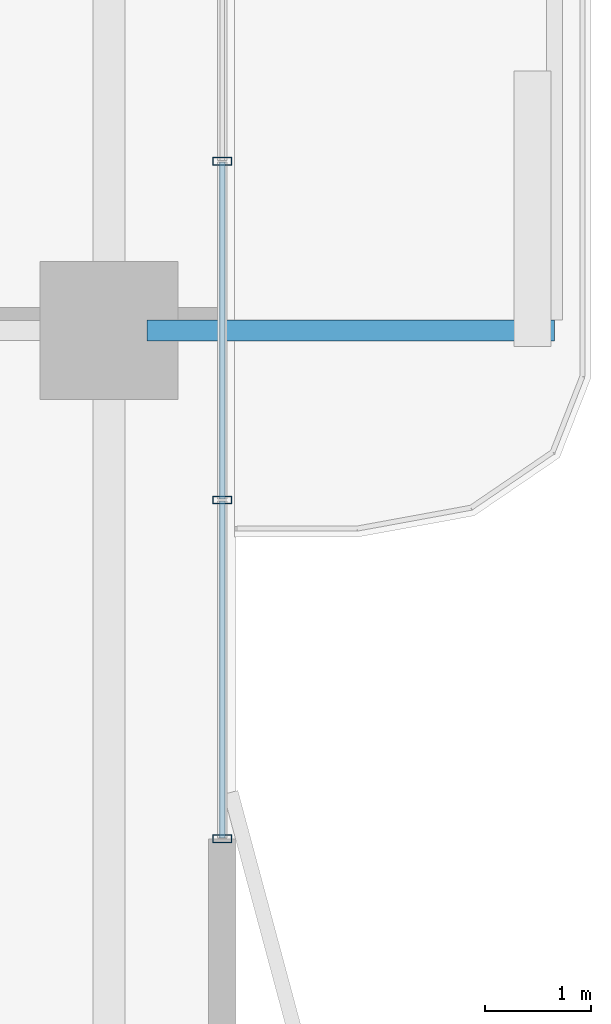
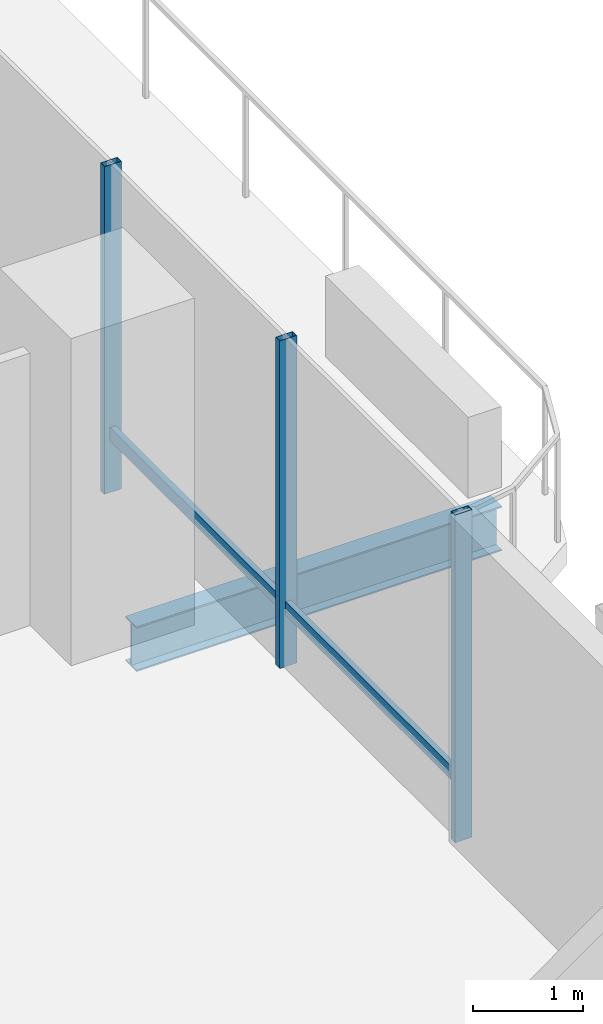
# One storey, part 8 of 24: 5 members, 1 beam, 1 element without a shape of its own.
"""IFC4 building model written with IfcOpenShell, lengths in metres."""

from ifc_helpers import new_model, si_unit, direction, frame, origin, origin_2d, place, context, subcontext, project, spatial, hollow_rectangle, i_section, extrude, material, layer, layer_set, material_profile, profile_set, type_object, element, aggregate, save


model = new_model("IFC4")

# Units and contexts
model_context = context("Model", 3, precision=1e-05, world=origin(), true_north=direction((0.0, 1.0)))
body_context = subcontext(model_context, "Body", "Model", "MODEL_VIEW")
ifc_project = project(units=[si_unit("LENGTHUNIT", "METRE"), si_unit("AREAUNIT", "SQUARE_METRE"), si_unit("VOLUMEUNIT", "CUBIC_METRE"), si_unit("PLANEANGLEUNIT", "RADIAN"), si_unit("MASSUNIT", "GRAM", prefix="KILO")], contexts=[model_context])

# Site, building, storey
site_placement = place(None, origin())
site = spatial("IfcSite", under=ifc_project, at=site_placement, CompositionType="ELEMENT")
building_placement = place(site_placement, origin())
building = spatial("IfcBuilding", under=site, at=building_placement, Name="Belovzor Exchange Tower", CompositionType="ELEMENT")
storey_placement = place(building_placement, frame((0.0, 0.0, 121.199951171875)))
storey = spatial("IfcBuildingStorey", under=building, at=storey_placement, Name="L29", CompositionType="ELEMENT", Elevation=121.199951171875)

# Beam
ifc_material_1 = material(Name="Steel S355", Category="steel")
ifc_material_profile_1 = material_profile(ifc_material_1, i_section(OverallWidth=0.199951171875, OverallDepth=0.5, WebThickness=0.01025390625, FlangeThickness=0.01611328125, at=origin_2d()))
ifc_profile_set_1 = profile_set([ifc_material_profile_1], Name="Steel S355")
beam_type = type_object("IfcBeamType", Name="Planted Balcony Cantilever Beam IPE 500", PredefinedType="BEAM", material=ifc_profile_set_1)
beam_placement = place(storey_placement, frame((54.05810546875, 28.800048828125, -0.5), z_axis=(1.0, 0.0, 0.0), x_axis=(0.0, 1.0, 0.0)))
element("IfcBeam", 1, at=beam_placement, inside=storey, type_object=beam_type, Name="BC-500 Planted Balcony Cantilever Beam IPE 500", PredefinedType="BEAM", context=body_context, shape_type="SweptSolid", body=[
    extrude(i_section(OverallWidth=0.199951171875, OverallDepth=0.5, WebThickness=0.01025390625, FlangeThickness=0.01611328125, at=origin_2d()), origin(), (0.0, 0.0, 1.0), 3.849853515625),
])

# Curtain wall, members
ifc_material_2 = material(Name="Anodised Aluminium Framing", Category="aluminium")
ifc_layer = layer(ifc_material_2, 0.179931640625)
ifc_layer_set = layer_set([ifc_layer], Name="Anodised Aluminium Framing")
curtain_wall_type = type_object("IfcCurtainWallType", Name="Recessed Loggia Low-Iron Triple-Glazed Curtain Wall", PredefinedType="NOTDEFINED", material=ifc_layer_set)
curtain_wall_placement = place(storey_placement, origin())
curtain_wall = element("IfcCurtainWall", 2, at=curtain_wall_placement, inside=storey, type_object=curtain_wall_type, Name="CW3 Recessed Loggia Low-Iron Triple-Glazed Curtain Wall L29", PredefinedType="NOTDEFINED")
ifc_material_3 = material(Name="Steel S355", Category="steel")
ifc_material_profile_2 = material_profile(ifc_material_3, hollow_rectangle(XDim=0.074951171875, YDim=0.179931640625, WallThickness=0.0048828125, at=origin_2d()))
ifc_profile_set_2 = profile_set([ifc_material_profile_2], Name="Steel S355")
member_type_1 = type_object("IfcMemberType", Name="Thermally Broken Curtain Wall Mullion 180x75", PredefinedType="MULLION", material=ifc_profile_set_2)
member_1_placement = place(storey_placement, frame((54.77001953125, 30.39990234375, 0.0), z_axis=(0.0, 0.0, 1.0), x_axis=(0.0, -1.0, 0.0)))
member_1 = element("IfcMember", 3, at=member_1_placement, type_object=member_type_1, Name="CW-M180 Curtain Wall Mullion 2", PredefinedType="MULLION", context=body_context, shape_type="SweptSolid", body=[
    extrude(hollow_rectangle(XDim=0.074951171875, YDim=0.179931640625, WallThickness=0.0048828125, at=origin_2d()), origin(), (0.0, 0.0, 1.0), 3.650146484375),
])
member_2_placement = place(storey_placement, frame((54.77001953125, 27.199951171875, 0.0), z_axis=(0.0, 0.0, 1.0), x_axis=(0.0, -1.0, 0.0)))
member_2 = element("IfcMember", 4, at=member_2_placement, type_object=member_type_1, Name="CW-M180 Curtain Wall Mullion 3", PredefinedType="MULLION", context=body_context, shape_type="SweptSolid", body=[
    extrude(hollow_rectangle(XDim=0.074951171875, YDim=0.179931640625, WallThickness=0.0048828125, at=origin_2d()), origin(), (0.0, 0.0, 1.0), 3.650146484375),
])
member_3_placement = place(storey_placement, frame((54.77001953125, 24.0, 0.0), z_axis=(0.0, 0.0, 1.0), x_axis=(0.0, -1.0, 0.0)))
member_3 = element("IfcMember", 5, at=member_3_placement, type_object=member_type_1, Name="CW-M180 Curtain Wall Mullion 4", PredefinedType="MULLION", context=body_context, shape_type="SweptSolid", body=[
    extrude(hollow_rectangle(XDim=0.074951171875, YDim=0.179931640625, WallThickness=0.0048828125, at=origin_2d()), origin(), (0.0, 0.0, 1.0), 3.650146484375),
])
ifc_material_4 = material(Name="Steel S355", Category="steel")
ifc_material_profile_3 = material_profile(ifc_material_4, hollow_rectangle(XDim=0.06005859375, YDim=0.14990234375, WallThickness=0.00390625, at=origin_2d()))
ifc_profile_set_3 = profile_set([ifc_material_profile_3], Name="Steel S355")
member_type_2 = type_object("IfcMemberType", Name="Thermally Broken Curtain Wall Transom 150x60", PredefinedType="USERDEFINED", material=ifc_profile_set_3)
member_4_placement = place(storey_placement, frame((54.77001953125, 30.39208984375, 0.650146484375), z_axis=(0.0, -1.0, 0.0), x_axis=(1.0, 0.0, 0.0)))
member_4 = element("IfcMember", 6, at=member_4_placement, type_object=member_type_2, Name="CW-T150 Curtain Wall Transom 2", ObjectType="TRANSOM", PredefinedType="USERDEFINED", context=body_context, shape_type="SweptSolid", body=[
    extrude(hollow_rectangle(XDim=0.06005859375, YDim=0.14990234375, WallThickness=0.00390625, at=origin_2d()), origin(), (0.0, 0.0, 1.0), 3.18408203125),
])
member_5_placement = place(storey_placement, frame((54.77001953125, 27.19189453125, 0.650146484375), z_axis=(0.0, -1.0, 0.0), x_axis=(1.0, 0.0, 0.0)))
member_5 = element("IfcMember", 7, at=member_5_placement, type_object=member_type_2, Name="CW-T150 Curtain Wall Transom 3", ObjectType="TRANSOM", PredefinedType="USERDEFINED", context=body_context, shape_type="SweptSolid", body=[
    extrude(hollow_rectangle(XDim=0.06005859375, YDim=0.14990234375, WallThickness=0.00390625, at=origin_2d()), origin(), (0.0, 0.0, 1.0), 3.183837890625),
])
aggregate(curtain_wall, [member_1, member_2, member_3, member_4, member_5])

save(model, "model.ifc")
